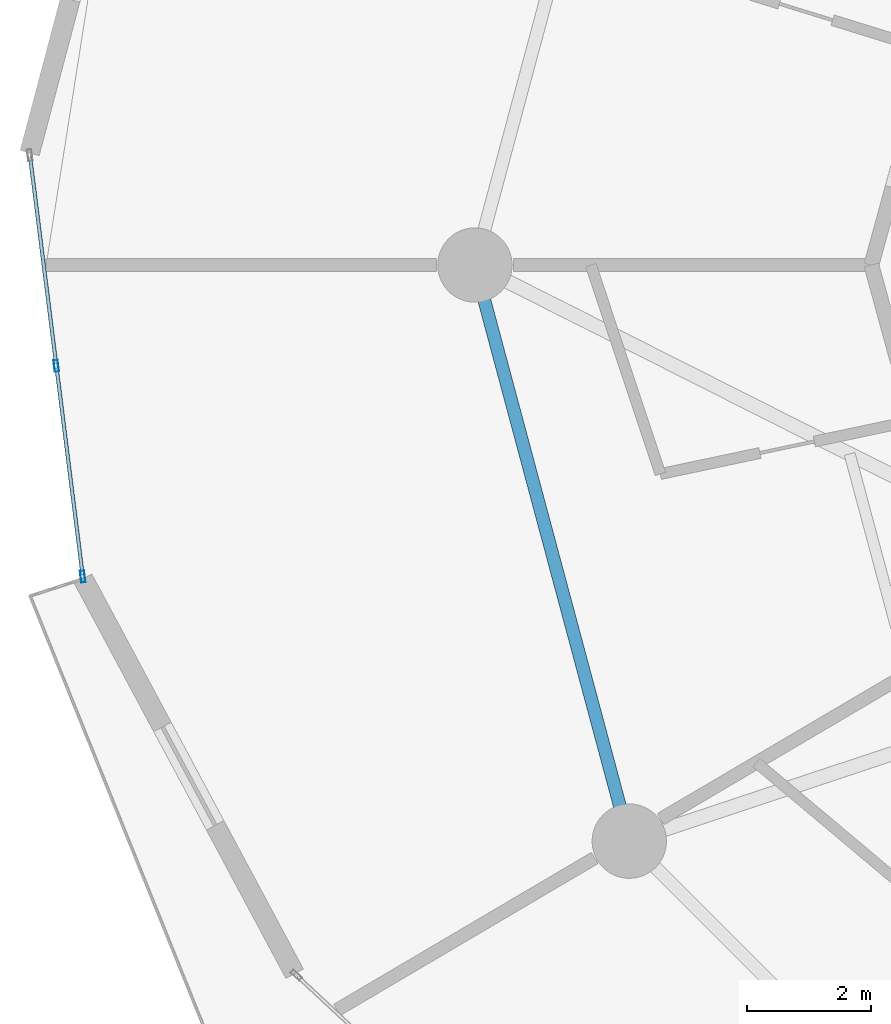
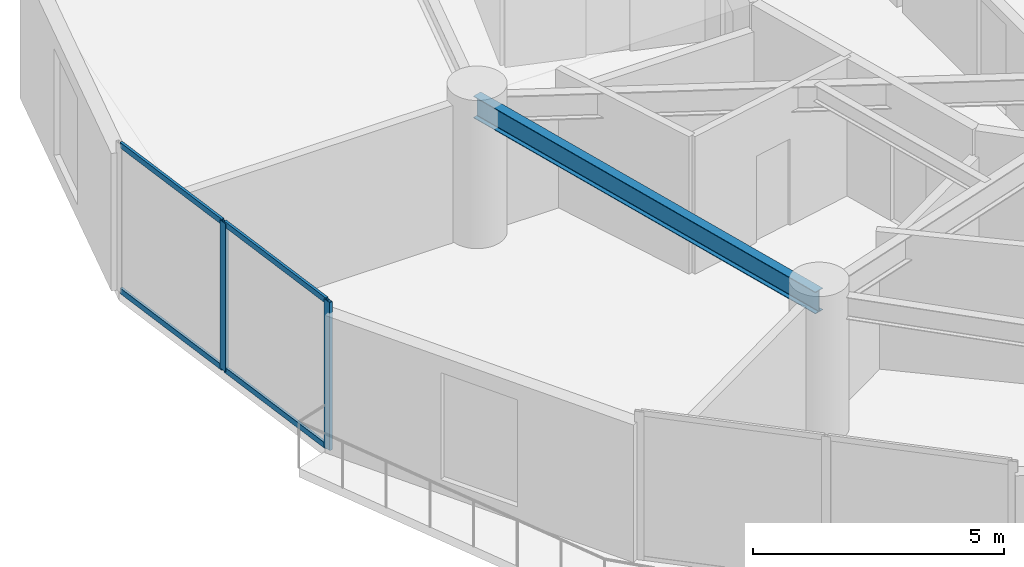
# One storey, part 4 of 26: 6 members, 1 beam, 1 element without a shape of its own.
"""IFC4 building model written with IfcOpenShell, lengths in metres."""

from ifc_helpers import new_model, si_unit, direction, frame, origin, origin_2d, place, context, subcontext, project, spatial, hollow_rectangle, i_section, extrude, source, transform, mapped, material, layer, layer_set, material_profile, profile_set, type_object, element, aggregate, save


model = new_model("IFC4")

# Units and contexts
model_context = context("Model", 3, precision=1e-05, world=origin(), true_north=direction((0.0, 1.0)))
body_context = subcontext(model_context, "Body", "Model", "MODEL_VIEW")
ifc_project = project(units=[si_unit("LENGTHUNIT", "METRE"), si_unit("AREAUNIT", "SQUARE_METRE"), si_unit("VOLUMEUNIT", "CUBIC_METRE"), si_unit("PLANEANGLEUNIT", "RADIAN"), si_unit("MASSUNIT", "GRAM", prefix="KILO")], contexts=[model_context])

# Site, building, storey
site_placement = place(None, origin())
site = spatial("IfcSite", under=ifc_project, at=site_placement, CompositionType="ELEMENT")
building_placement = place(site_placement, origin())
building = spatial("IfcBuilding", under=site, at=building_placement, Name="Solvirekh Grand Hotel", CompositionType="ELEMENT")
storey_placement = place(building_placement, frame((0.0, 0.0, 32.0)))
storey = spatial("IfcBuildingStorey", under=building, at=storey_placement, Name="L06", CompositionType="ELEMENT", Elevation=32.0)

# Beam
ifc_material_1 = material(Name="Steel S355", Category="steel")
ifc_material_profile_1 = material_profile(ifc_material_1, i_section(OverallWidth=0.208984375, OverallDepth=0.532958984375, WebThickness=0.010009765625, FlangeThickness=0.014892578125, FilletRadius=0.013916015625, at=origin_2d()), Name="W530X92")
ifc_profile_set_1 = profile_set([ifc_material_profile_1], Name="Steel S355")
beam_type = type_object("IfcBeamType", Name="Spandrel_Ring_W530", PredefinedType="SPANDREL", material=ifc_profile_set_1)
beam_placement = place(storey_placement, frame((-18.60009765625, 0.0, 3.073974609375), z_axis=(0.258842973314, -0.965919414426, 0.0), x_axis=(0.965919414426, 0.258842973314, 0.0)))
element("IfcBeam", 1, at=beam_placement, inside=storey, type_object=beam_type, Name="L06 perimeter spandrel beam 7", PredefinedType="SPANDREL", context=body_context, shape_type="SweptSolid", body=[
    extrude(i_section(OverallWidth=0.208984375, OverallDepth=0.532958984375, WebThickness=0.010009765625, FlangeThickness=0.014892578125, FilletRadius=0.013916015625, at=origin_2d()), origin(), (0.0, 0.0, 1.0), 9.628173828125),
])

# Curtain wall, members
ifc_material_2 = material(Name="Anodized Bronze Aluminium 6063-T6", Category="aluminium")
ifc_layer = layer(ifc_material_2, 0.18994140625)
ifc_layer_set = layer_set([ifc_layer], Name="Anodized Bronze Aluminium 6063-T6")
curtain_wall_type = type_object("IfcCurtainWallType", Name="CW_Sys2_LowZoneFlushBronzeCW", PredefinedType="NOTDEFINED", material=ifc_layer_set)
curtain_wall_placement = place(storey_placement, origin())
curtain_wall = element("IfcCurtainWall", 2, at=curtain_wall_placement, inside=storey, type_object=curtain_wall_type, Name="L06 unitised bronze-glass curtain wall CW-L06-C11", PredefinedType="NOTDEFINED")
ifc_material_profile_2 = material_profile(ifc_material_2, hollow_rectangle(XDim=0.070068359375, YDim=0.18994140625, WallThickness=0.0048828125, at=origin_2d()), Name="ALU RHS 190X70X5")
ifc_profile_set_2 = profile_set([ifc_material_profile_2], Name="Anodized Bronze Aluminium 6063-T6")
member_type_1 = type_object("IfcMemberType", Name="CWMullion_Sys2", PredefinedType="MULLION", material=ifc_profile_set_2)
shared_shape_1 = source(origin(), body_context, "Body", "SweptSolid", [
    extrude(hollow_rectangle(XDim=0.070068359375, YDim=0.18994140625, WallThickness=0.0048828125, at=origin_2d()), origin(), (0.0, 0.0, 1.0), 3.60009765625),
])
member_1_placement = place(storey_placement, frame((-25.357421875, -1.62744140625, 0.0), z_axis=(0.0, 0.0, 1.0), x_axis=(0.992204390249, 0.124621217979, 0.0)))
member_1 = element("IfcMember", 3, at=member_1_placement, type_object=member_type_1, Name="U02 mullion 2", PredefinedType="MULLION", context=body_context, shape_type="MappedRepresentation", body=[
    mapped(shared_shape_1, transform((0.0, 0.0, 0.0), x_axis=(1.0, 0.0, 0.0), y_axis=(0.0, 1.0, 0.0), z_axis=(0.0, 0.0, 1.0), scale=1.0)),
])
member_2_placement = place(storey_placement, frame((-24.930419921875, -5.0283203125, 0.0), z_axis=(0.0, 0.0, 1.0), x_axis=(0.992204390249, 0.124621217979, 0.0)))
member_2 = element("IfcMember", 4, at=member_2_placement, type_object=member_type_1, Name="U02 mullion 3", PredefinedType="MULLION", context=body_context, shape_type="MappedRepresentation", body=[
    mapped(shared_shape_1, transform((0.0, 0.0, 0.0), x_axis=(1.0, 0.0, 0.0), y_axis=(0.0, 1.0, 0.0), z_axis=(0.0, 0.0, 1.0), scale=1.0)),
])
ifc_material_profile_3 = material_profile(ifc_material_2, hollow_rectangle(XDim=0.06005859375, YDim=0.135009765625, WallThickness=0.00390625, at=origin_2d()), Name="ALU RHS 135X60X4")
ifc_profile_set_3 = profile_set([ifc_material_profile_3], Name="Anodized Bronze Aluminium 6063-T6")
member_type_2 = type_object("IfcMemberType", Name="CWTransom_Sys2", PredefinedType="USERDEFINED", material=ifc_profile_set_3)
shared_shape_2 = source(origin(), body_context, "Body", "SweptSolid", [
    extrude(hollow_rectangle(XDim=0.06005859375, YDim=0.135009765625, WallThickness=0.00390625, at=origin_2d()), origin(), (0.0, 0.0, 1.0), 3.357421875),
])
member_3_placement = place(storey_placement, frame((-25.7802734375, 1.738525390625, 0.030029296875), z_axis=(0.124634334989, -0.99220274266, 0.0), x_axis=(0.99220274266, 0.124634334989, 0.0)))
member_3 = element("IfcMember", 5, at=member_3_placement, type_object=member_type_2, Name="U02 transom 1.1", ObjectType="TRANSOM", PredefinedType="USERDEFINED", context=body_context, shape_type="MappedRepresentation", body=[
    mapped(shared_shape_2, transform((0.0, 0.0, 0.0), x_axis=(1.0, 0.0, 0.0), y_axis=(0.0, 1.0, 0.0), z_axis=(0.0, 0.0, 1.0), scale=1.0)),
])
member_4_placement = place(storey_placement, frame((-25.7802734375, 1.738525390625, 3.570068359375), z_axis=(0.124634334989, -0.99220274266, 0.0), x_axis=(0.99220274266, 0.124634334989, 0.0)))
member_4 = element("IfcMember", 6, at=member_4_placement, type_object=member_type_2, Name="U02 transom 1.2", ObjectType="TRANSOM", PredefinedType="USERDEFINED", context=body_context, shape_type="MappedRepresentation", body=[
    mapped(shared_shape_2, transform((0.0, 0.0, 0.0), x_axis=(1.0, 0.0, 0.0), y_axis=(0.0, 1.0, 0.0), z_axis=(0.0, 0.0, 1.0), scale=1.0)),
])
shared_shape_3 = source(origin(), body_context, "Body", "SweptSolid", [
    extrude(hollow_rectangle(XDim=0.06005859375, YDim=0.135009765625, WallThickness=0.00390625, at=origin_2d()), origin(), (0.0, 0.0, 1.0), 3.357666015625),
])
member_5_placement = place(storey_placement, frame((-25.35302734375, -1.662109375, 0.030029296875), z_axis=(0.124553761541, -0.992212860472, 0.0), x_axis=(0.992212860472, 0.124553761541, 0.0)))
member_5 = element("IfcMember", 7, at=member_5_placement, type_object=member_type_2, Name="U02 transom 2.1", ObjectType="TRANSOM", PredefinedType="USERDEFINED", context=body_context, shape_type="MappedRepresentation", body=[
    mapped(shared_shape_3, transform((0.0, 0.0, 0.0), x_axis=(1.0, 0.0, 0.0), y_axis=(0.0, 1.0, 0.0), z_axis=(0.0, 0.0, 1.0), scale=1.0)),
])
member_6_placement = place(storey_placement, frame((-25.35302734375, -1.662109375, 3.570068359375), z_axis=(0.124553761541, -0.992212860472, 0.0), x_axis=(0.992212860472, 0.124553761541, 0.0)))
member_6 = element("IfcMember", 8, at=member_6_placement, type_object=member_type_2, Name="U02 transom 2.2", ObjectType="TRANSOM", PredefinedType="USERDEFINED", context=body_context, shape_type="MappedRepresentation", body=[
    mapped(shared_shape_3, transform((0.0, 0.0, 0.0), x_axis=(1.0, 0.0, 0.0), y_axis=(0.0, 1.0, 0.0), z_axis=(0.0, 0.0, 1.0), scale=1.0)),
])
aggregate(curtain_wall, [member_1, member_2, member_3, member_4, member_5, member_6])

save(model, "model.ifc")
